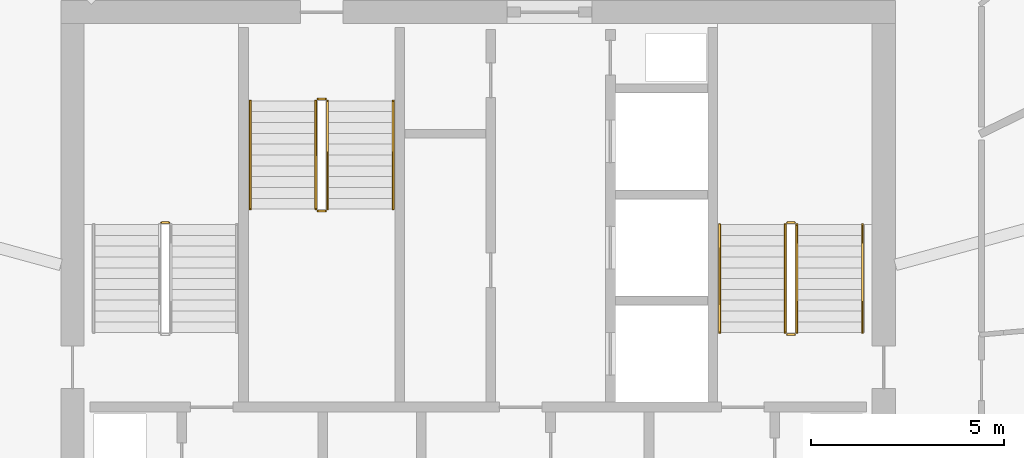
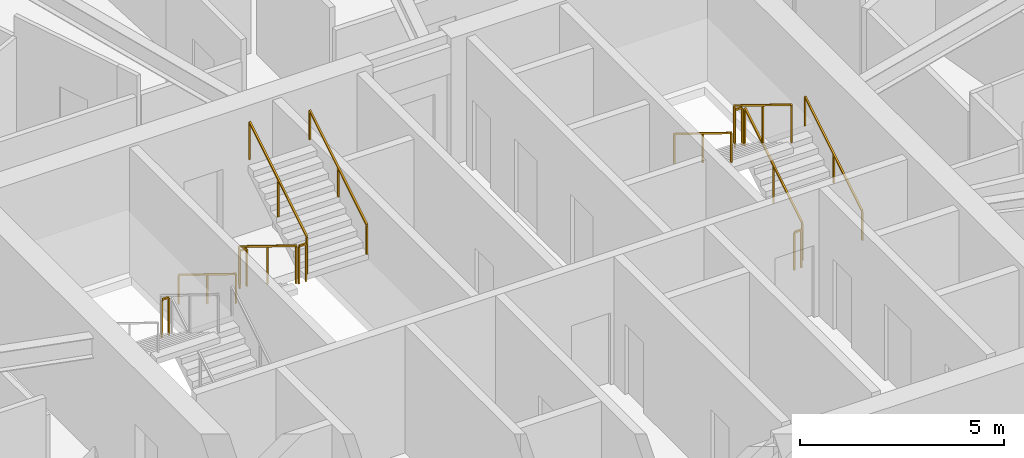
# One storey, part 26 of 27: 13 railings.
"""IFC4 building model written with IfcOpenShell, lengths in metres."""

from ifc_helpers import new_model, si_unit, direction, frame, origin, origin_2d, place, context, subcontext, project, spatial, rectangle, extrude, material, type_object, element, save


model = new_model("IFC4")

# Units and contexts
model_context = context("Model", 3, precision=1e-05, world=origin(), true_north=direction((0.0, 1.0)))
body_context = subcontext(model_context, "Body", "Model", "MODEL_VIEW")
ifc_project = project(units=[si_unit("LENGTHUNIT", "METRE"), si_unit("AREAUNIT", "SQUARE_METRE"), si_unit("VOLUMEUNIT", "CUBIC_METRE"), si_unit("PLANEANGLEUNIT", "RADIAN"), si_unit("MASSUNIT", "GRAM", prefix="KILO")], contexts=[model_context])

# Site, building, storey
site_placement = place(None, origin())
site = spatial("IfcSite", under=ifc_project, at=site_placement, CompositionType="ELEMENT")
building_placement = place(site_placement, origin())
building = spatial("IfcBuilding", under=site, at=building_placement, Name="Zuhravey Tower", CompositionType="ELEMENT")
storey_placement = place(building_placement, frame((0.0, 0.0, 238.800048828125)))
storey = spatial("IfcBuildingStorey", under=building, at=storey_placement, Name="L60", CompositionType="ELEMENT", Elevation=238.800048828125)

# Railings
ifc_material_1 = material(Name="Brushed stainless steel", Category="steel")
railing_type_1 = type_object("IfcRailingType", Name="Stair Wall Handrail 900", PredefinedType="HANDRAIL", material=ifc_material_1)
railing_1_placement = place(storey_placement, frame((45.949951171875, 33.199951171875, 0.172607421875)))
element("IfcRailing", 1, at=railing_1_placement, inside=storey, type_object=railing_type_1, Name="L60 ST2 stair handrail 1", PredefinedType="HANDRAIL", context=body_context, shape_type="SweptSolid", body=[
    extrude(rectangle(XDim=0.048095703125, YDim=0.048095703125, at=origin_2d()), frame((0.0, 0.001708984375, 0.876953125), z_axis=(0.0, 0.851089632645, 0.525020415988), x_axis=(-1.0, 0.0, 0.0)), (0.0, 0.0, 1.0), 3.285888671875),
    extrude(rectangle(XDim=0.0419921875, YDim=0.0419921875, at=origin_2d()), origin(), (0.0, 0.0, 1.0), 0.849853515625),
    extrude(rectangle(XDim=0.0419921875, YDim=0.0419921875, at=origin_2d()), frame((0.0, 1.39990234375, 0.86376953125)), (0.0, 0.0, 1.0), 0.849853515625),
    extrude(rectangle(XDim=0.0419921875, YDim=0.0419921875, at=origin_2d()), frame((0.0, 2.800048828125, 1.727294921875)), (0.0, 0.0, 1.0), 0.849853515625),
])
for number, where, name in (
    (2, (42.25, 36.0, 2.07275390625), "L60 ST2 stair handrail 2"),
    (3, (30.10009765625, 39.199951171875, 0.172607421875), "L60 ST3 stair handrail 1"),
):
    element("IfcRailing", number, at=place(storey_placement, frame(where)), inside=storey, type_object=railing_type_1, Name=name, PredefinedType="HANDRAIL", context=body_context, shape_type="SweptSolid", body=[
        extrude(rectangle(XDim=0.048095703125, YDim=0.048095703125, at=origin_2d()), frame((0.0, -0.001708984375, 0.876953125), z_axis=(0.0, -0.851089632645, 0.525020415988), x_axis=(1.0, 0.0, 0.0)), (0.0, 0.0, 1.0), 3.285888671875),
        extrude(rectangle(XDim=0.0419921875, YDim=0.0419921875, at=origin_2d()), origin(), (0.0, 0.0, 1.0), 0.849853515625),
        extrude(rectangle(XDim=0.0419921875, YDim=0.0419921875, at=origin_2d()), frame((0.0, -1.39990234375, 0.86376953125)), (0.0, 0.0, 1.0), 0.849853515625),
        extrude(rectangle(XDim=0.0419921875, YDim=0.0419921875, at=origin_2d()), frame((0.0, -2.800048828125, 1.727294921875)), (0.0, 0.0, 1.0), 0.849853515625),
    ])
railing_2_placement = place(storey_placement, frame((33.800048828125, 36.39990234375, 2.07275390625)))
element("IfcRailing", 4, at=railing_2_placement, inside=storey, type_object=railing_type_1, Name="L60 ST3 stair handrail 2", PredefinedType="HANDRAIL", context=body_context, shape_type="SweptSolid", body=[
    extrude(rectangle(XDim=0.048095703125, YDim=0.048095703125, at=origin_2d()), frame((0.0, 0.001708984375, 0.876953125), z_axis=(0.0, 0.851089632645, 0.525020415988), x_axis=(-1.0, 0.0, 0.0)), (0.0, 0.0, 1.0), 3.285888671875),
    extrude(rectangle(XDim=0.0419921875, YDim=0.0419921875, at=origin_2d()), origin(), (0.0, 0.0, 1.0), 0.849853515625),
    extrude(rectangle(XDim=0.0419921875, YDim=0.0419921875, at=origin_2d()), frame((0.0, 1.39990234375, 0.86376953125)), (0.0, 0.0, 1.0), 0.849853515625),
    extrude(rectangle(XDim=0.0419921875, YDim=0.0419921875, at=origin_2d()), frame((0.0, 2.800048828125, 1.727294921875)), (0.0, 0.0, 1.0), 0.849853515625),
])
ifc_material_2 = material(Name="Painted tubular steel", Category="steel")
railing_type_2 = type_object("IfcRailingType", Name="Stair Well Guardrail 1150", PredefinedType="GUARDRAIL", material=ifc_material_2)
railing_3_placement = place(storey_placement, frame((28.0, 36.050048828125, 1.89990234375)))
element("IfcRailing", 5, at=railing_3_placement, inside=storey, type_object=railing_type_2, Name="L60 ST1 stair guard 2", PredefinedType="GUARDRAIL", context=body_context, shape_type="SweptSolid", body=[
    extrude(rectangle(XDim=0.048095703125, YDim=0.048095703125, at=origin_2d()), frame((-0.001953125, 0.0, 1.1259765625), z_axis=(-1.0, 0.0, 0.0), x_axis=(0.0, -1.0, 0.0)), (0.0, 0.0, 1.0), 0.196044921875),
    extrude(rectangle(XDim=0.0419921875, YDim=0.0419921875, at=origin_2d()), origin(), (0.0, 0.0, 1.0), 1.099853515625),
    extrude(rectangle(XDim=0.0419921875, YDim=0.0419921875, at=origin_2d()), frame((-0.199951171875, 0.0, 0.0)), (0.0, 0.0, 1.0), 1.099853515625),
])
railing_4_placement = place(storey_placement, frame((44.25, 33.199951171875, 0.172607421875)))
element("IfcRailing", 6, at=railing_4_placement, inside=storey, type_object=railing_type_2, Name="L60 ST2 stair guard 1", PredefinedType="GUARDRAIL", context=body_context, shape_type="SweptSolid", body=[
    extrude(rectangle(XDim=0.048095703125, YDim=0.048095703125, at=origin_2d()), frame((0.0, 0.001708984375, 1.126953125), z_axis=(0.0, 0.851089632645, 0.525020415988), x_axis=(-1.0, 0.0, 0.0)), (0.0, 0.0, 1.0), 3.285888671875),
    extrude(rectangle(XDim=0.0419921875, YDim=0.0419921875, at=origin_2d()), origin(), (0.0, 0.0, 1.0), 1.099853515625),
    extrude(rectangle(XDim=0.0419921875, YDim=0.0419921875, at=origin_2d()), frame((0.0, 1.39990234375, 0.86376953125)), (0.0, 0.0, 1.0), 1.099853515625),
    extrude(rectangle(XDim=0.0419921875, YDim=0.0419921875, at=origin_2d()), frame((0.0, 2.800048828125, 1.727294921875)), (0.0, 0.0, 1.0), 1.099853515625),
])
railing_5_placement = place(storey_placement, frame((44.199951171875, 36.050048828125, 1.89990234375)))
element("IfcRailing", 7, at=railing_5_placement, inside=storey, type_object=railing_type_2, Name="L60 ST2 stair guard 2", PredefinedType="GUARDRAIL", context=body_context, shape_type="SweptSolid", body=[
    extrude(rectangle(XDim=0.048095703125, YDim=0.048095703125, at=origin_2d()), frame((-0.001953125, 0.0, 1.1259765625), z_axis=(-1.0, 0.0, 0.0), x_axis=(0.0, -1.0, 0.0)), (0.0, 0.0, 1.0), 0.196044921875),
    extrude(rectangle(XDim=0.0419921875, YDim=0.0419921875, at=origin_2d()), origin(), (0.0, 0.0, 1.0), 1.099853515625),
    extrude(rectangle(XDim=0.0419921875, YDim=0.0419921875, at=origin_2d()), frame((-0.199951171875, 0.0, 0.0)), (0.0, 0.0, 1.0), 1.099853515625),
])
railing_6_placement = place(storey_placement, frame((43.949951171875, 36.0, 2.07275390625)))
element("IfcRailing", 8, at=railing_6_placement, inside=storey, type_object=railing_type_2, Name="L60 ST2 stair guard 3", PredefinedType="GUARDRAIL", context=body_context, shape_type="SweptSolid", body=[
    extrude(rectangle(XDim=0.048095703125, YDim=0.048095703125, at=origin_2d()), frame((0.0, -0.001708984375, 1.126953125), z_axis=(0.0, -0.851089632645, 0.525020415988), x_axis=(1.0, 0.0, 0.0)), (0.0, 0.0, 1.0), 3.285888671875),
    extrude(rectangle(XDim=0.0419921875, YDim=0.0419921875, at=origin_2d()), origin(), (0.0, 0.0, 1.0), 1.099853515625),
    extrude(rectangle(XDim=0.0419921875, YDim=0.0419921875, at=origin_2d()), frame((0.0, -1.39990234375, 0.86376953125)), (0.0, 0.0, 1.0), 1.099853515625),
    extrude(rectangle(XDim=0.0419921875, YDim=0.0419921875, at=origin_2d()), frame((0.0, -2.800048828125, 1.727294921875)), (0.0, 0.0, 1.0), 1.099853515625),
])
railing_7_placement = place(storey_placement, frame((44.199951171875, 33.14990234375, 0.0)))
element("IfcRailing", 9, at=railing_7_placement, inside=storey, type_object=railing_type_2, Name="L60 ST2 stair guard 4", PredefinedType="GUARDRAIL", context=body_context, shape_type="SweptSolid", body=[
    extrude(rectangle(XDim=0.048095703125, YDim=0.048095703125, at=origin_2d()), frame((-0.001953125, 0.0, 1.1259765625), z_axis=(-1.0, 0.0, 0.0), x_axis=(0.0, -1.0, 0.0)), (0.0, 0.0, 1.0), 0.196044921875),
    extrude(rectangle(XDim=0.0419921875, YDim=0.0419921875, at=origin_2d()), origin(), (0.0, 0.0, 1.0), 1.099853515625),
    extrude(rectangle(XDim=0.0419921875, YDim=0.0419921875, at=origin_2d()), frame((-0.199951171875, 0.0, 0.0)), (0.0, 0.0, 1.0), 1.099853515625),
])
railing_8_placement = place(storey_placement, frame((31.800048828125, 39.199951171875, 0.172607421875)))
element("IfcRailing", 10, at=railing_8_placement, inside=storey, type_object=railing_type_2, Name="L60 ST3 stair guard 1", PredefinedType="GUARDRAIL", context=body_context, shape_type="SweptSolid", body=[
    extrude(rectangle(XDim=0.048095703125, YDim=0.048095703125, at=origin_2d()), frame((0.0, -0.001708984375, 1.126953125), z_axis=(0.0, -0.851089632645, 0.525020415988), x_axis=(1.0, 0.0, 0.0)), (0.0, 0.0, 1.0), 3.285888671875),
    extrude(rectangle(XDim=0.0419921875, YDim=0.0419921875, at=origin_2d()), origin(), (0.0, 0.0, 1.0), 1.099853515625),
    extrude(rectangle(XDim=0.0419921875, YDim=0.0419921875, at=origin_2d()), frame((0.0, -1.39990234375, 0.86376953125)), (0.0, 0.0, 1.0), 1.099853515625),
    extrude(rectangle(XDim=0.0419921875, YDim=0.0419921875, at=origin_2d()), frame((0.0, -2.800048828125, 1.727294921875)), (0.0, 0.0, 1.0), 1.099853515625),
])
railing_9_placement = place(storey_placement, frame((31.85009765625, 36.35009765625, 1.89990234375)))
element("IfcRailing", 11, at=railing_9_placement, inside=storey, type_object=railing_type_2, Name="L60 ST3 stair guard 2", PredefinedType="GUARDRAIL", context=body_context, shape_type="SweptSolid", body=[
    extrude(rectangle(XDim=0.048095703125, YDim=0.048095703125, at=origin_2d()), frame((0.001953125, 0.0, 1.1259765625), z_axis=(1.0, 0.0, 0.0), x_axis=(0.0, 1.0, 0.0)), (0.0, 0.0, 1.0), 0.196044921875),
    extrude(rectangle(XDim=0.0419921875, YDim=0.0419921875, at=origin_2d()), origin(), (0.0, 0.0, 1.0), 1.099853515625),
    extrude(rectangle(XDim=0.0419921875, YDim=0.0419921875, at=origin_2d()), frame((0.199951171875, 0.0, 0.0)), (0.0, 0.0, 1.0), 1.099853515625),
])
railing_10_placement = place(storey_placement, frame((32.10009765625, 36.39990234375, 2.07275390625)))
element("IfcRailing", 12, at=railing_10_placement, inside=storey, type_object=railing_type_2, Name="L60 ST3 stair guard 3", PredefinedType="GUARDRAIL", context=body_context, shape_type="SweptSolid", body=[
    extrude(rectangle(XDim=0.048095703125, YDim=0.048095703125, at=origin_2d()), frame((0.0, 0.001708984375, 1.126953125), z_axis=(0.0, 0.851089632645, 0.525020415988), x_axis=(-1.0, 0.0, 0.0)), (0.0, 0.0, 1.0), 3.285888671875),
    extrude(rectangle(XDim=0.0419921875, YDim=0.0419921875, at=origin_2d()), origin(), (0.0, 0.0, 1.0), 1.099853515625),
    extrude(rectangle(XDim=0.0419921875, YDim=0.0419921875, at=origin_2d()), frame((0.0, 1.39990234375, 0.86376953125)), (0.0, 0.0, 1.0), 1.099853515625),
    extrude(rectangle(XDim=0.0419921875, YDim=0.0419921875, at=origin_2d()), frame((0.0, 2.800048828125, 1.727294921875)), (0.0, 0.0, 1.0), 1.099853515625),
])
railing_11_placement = place(storey_placement, frame((31.85009765625, 39.25, 0.0)))
element("IfcRailing", 13, at=railing_11_placement, inside=storey, type_object=railing_type_2, Name="L60 ST3 stair guard 4", PredefinedType="GUARDRAIL", context=body_context, shape_type="SweptSolid", body=[
    extrude(rectangle(XDim=0.048095703125, YDim=0.048095703125, at=origin_2d()), frame((0.001953125, 0.0, 1.1259765625), z_axis=(1.0, 0.0, 0.0), x_axis=(0.0, 1.0, 0.0)), (0.0, 0.0, 1.0), 0.196044921875),
    extrude(rectangle(XDim=0.0419921875, YDim=0.0419921875, at=origin_2d()), origin(), (0.0, 0.0, 1.0), 1.099853515625),
    extrude(rectangle(XDim=0.0419921875, YDim=0.0419921875, at=origin_2d()), frame((0.199951171875, 0.0, 0.0)), (0.0, 0.0, 1.0), 1.099853515625),
])

save(model, "model.ifc")
